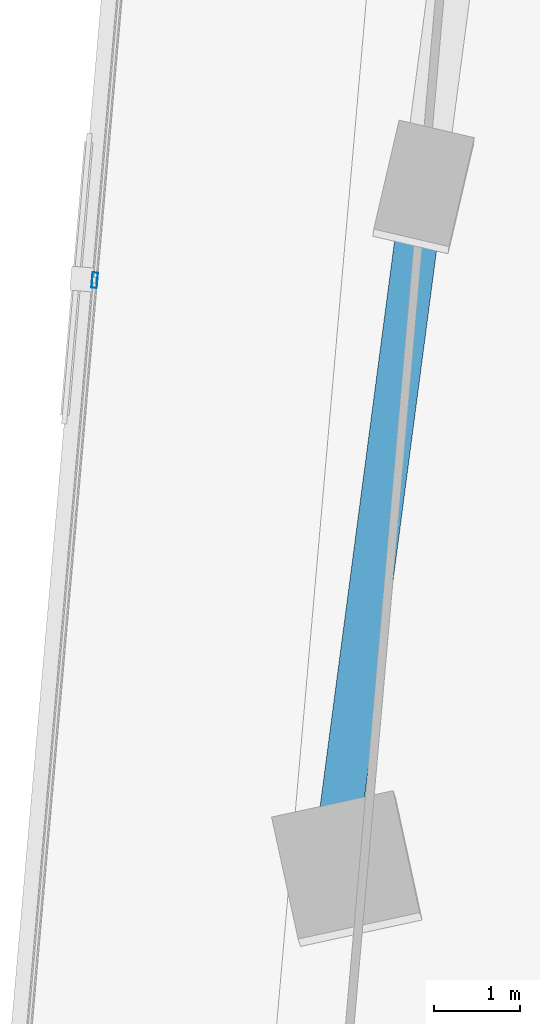
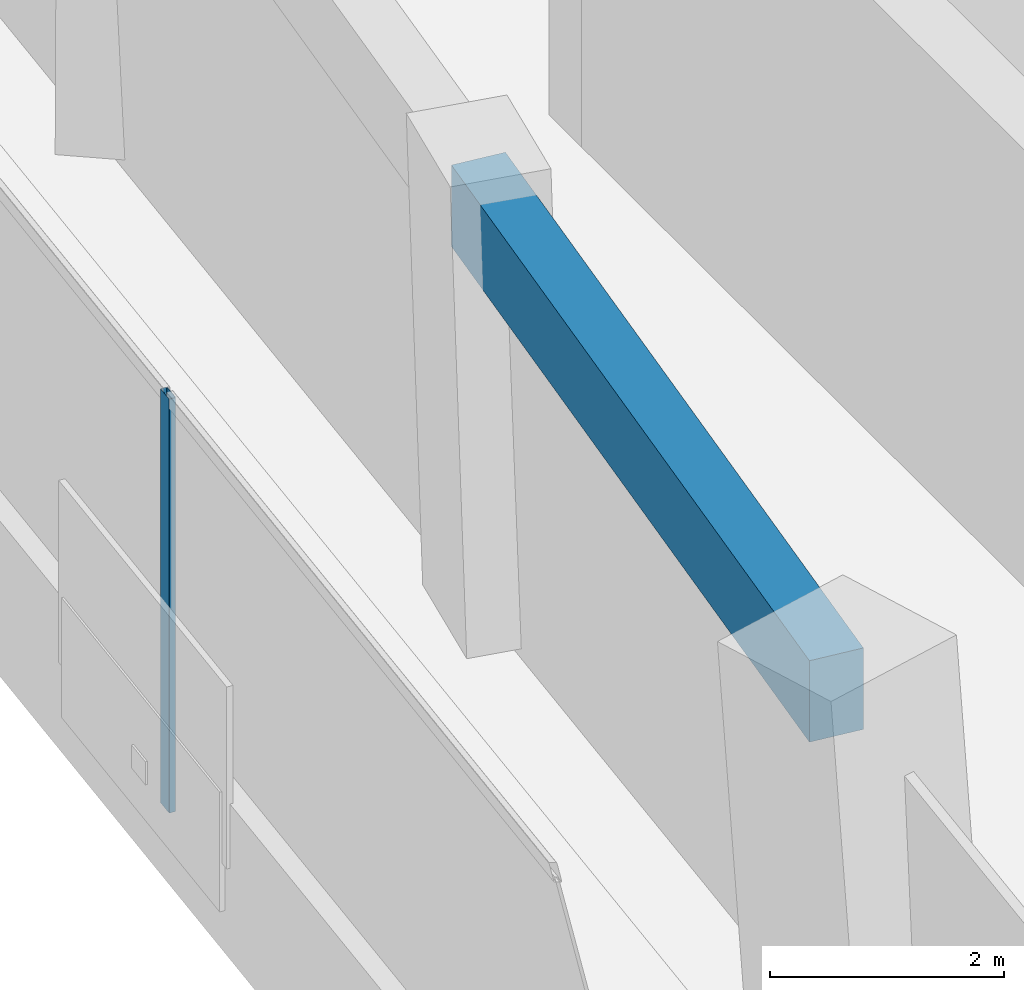
# One storey, part 6 of 23: 1 beam, 1 member, 1 element without a shape of its own.
"""IFC4 building model written with IfcOpenShell, lengths in metres."""

from ifc_helpers import new_model, si_unit, direction, frame, origin, origin_2d, place, context, subcontext, project, spatial, rectangle, hollow_rectangle, extrude, source, transform, mapped, material, material_profile, profile_set, type_object, element, aggregate, save


model = new_model("IFC4")

# Units and contexts
model_context = context("Model", 3, precision=1e-05, world=origin(), true_north=direction((0.0, 1.0)))
body_context = subcontext(model_context, "Body", "Model", "MODEL_VIEW")
ifc_project = project(units=[si_unit("LENGTHUNIT", "METRE"), si_unit("AREAUNIT", "SQUARE_METRE"), si_unit("VOLUMEUNIT", "CUBIC_METRE"), si_unit("PLANEANGLEUNIT", "RADIAN"), si_unit("MASSUNIT", "GRAM", prefix="KILO")], contexts=[model_context])

# Site, building, storey
site_placement = place(None, origin())
site = spatial("IfcSite", under=ifc_project, at=site_placement, CompositionType="ELEMENT")
building_placement = place(site_placement, origin())
building = spatial("IfcBuilding", under=site, at=building_placement, Name="Torre Montelarca", CompositionType="ELEMENT")
storey_placement = place(building_placement, frame((0.0, 0.0, 56.800048828125)))
storey = spatial("IfcBuildingStorey", under=building, at=storey_placement, Name="L12", CompositionType="ELEMENT", Elevation=56.800048828125)

# Beam
ifc_material_1 = material(Name="Concrete C55/67", Category="concrete")
ifc_material_profile_1 = material_profile(ifc_material_1, rectangle(XDim=0.5, YDim=0.85009765625, at=origin_2d()), Name="RCB500X850", Category="concrete")
ifc_profile_set_1 = profile_set([ifc_material_profile_1], Name="Concrete C55/67")
beam_type = type_object("IfcBeamType", Name="BM-SP-RC850-EXT", PredefinedType="SPANDREL", material=ifc_profile_set_1)
shared_shape_1 = source(origin(), body_context, "Body", "SweptSolid", [
    extrude(rectangle(XDim=0.5, YDim=0.85009765625, at=origin_2d()), origin(), (0.0, 0.0, 1.0), 8.0),
])
beam_placement = place(storey_placement, frame((3.75, 26.267822265625, 4.135009765625), z_axis=(0.130522402305, 0.991445360318, 0.0), x_axis=(-0.991445360318, 0.130522402305, 0.0)))
element("IfcBeam", 1, at=beam_placement, inside=storey, type_object=beam_type, Name="L12 Grid Girder Y 24.0-32.0 at X=4.7", PredefinedType="SPANDREL", context=body_context, shape_type="MappedRepresentation", body=[
    mapped(shared_shape_1, transform((0.0, 0.0, 0.0), scale=1.0)),
])

# Curtain wall, member
ifc_material_2 = material(Name="Insulated low-E laminated glass", Category="glass")
curtain_wall_type = type_object("IfcCurtainWallType", Name="CW-SYS-Z1", PredefinedType="USERDEFINED", material=ifc_material_2)
curtain_wall_placement = place(storey_placement, origin())
curtain_wall = element("IfcCurtainWall", 2, at=curtain_wall_placement, inside=storey, type_object=curtain_wall_type, Name="L12 Curtain Wall Run CW-T3-L12-E10-B1", ObjectType="UNITISED GLAZING", PredefinedType="USERDEFINED")
ifc_material_3 = material(Name="Anodised aluminium AA 6063-T6", Category="aluminium")
ifc_material_profile_2 = material_profile(ifc_material_3, hollow_rectangle(XDim=0.06494140625, YDim=0.179931640625, WallThickness=0.00390625, InnerFilletRadius=0.00390625, OuterFilletRadius=0.008056640625, at=origin_2d()), Name="ALU65X180X4", Category="aluminium")
ifc_profile_set_2 = profile_set([ifc_material_profile_2], Name="Anodised aluminium AA 6063-T6")
member_type = type_object("IfcMemberType", Name="CWM-ALU180", PredefinedType="MULLION", material=ifc_profile_set_2)
shared_shape_2 = source(origin(), body_context, "Body", "SweptSolid", [
    extrude(hollow_rectangle(XDim=0.06494140625, YDim=0.179931640625, WallThickness=0.00390625, InnerFilletRadius=0.00390625, OuterFilletRadius=0.008056640625, at=origin_2d()), origin(), (0.0, 0.0, 1.0), 4.320068359375),
])
member_placement = place(storey_placement, frame((0.921142578125, 32.796630859375, 0.0), z_axis=(0.0, 0.0, 1.0), x_axis=(0.99619413316, -0.087162199711, 0.0)))
member = element("IfcMember", 3, at=member_placement, type_object=member_type, Name="CW mullion 2", PredefinedType="MULLION", context=body_context, shape_type="MappedRepresentation", body=[
    mapped(shared_shape_2, transform((0.0, 0.0, 0.0), scale=1.0)),
])
aggregate(curtain_wall, [member])

save(model, "model.ifc")
